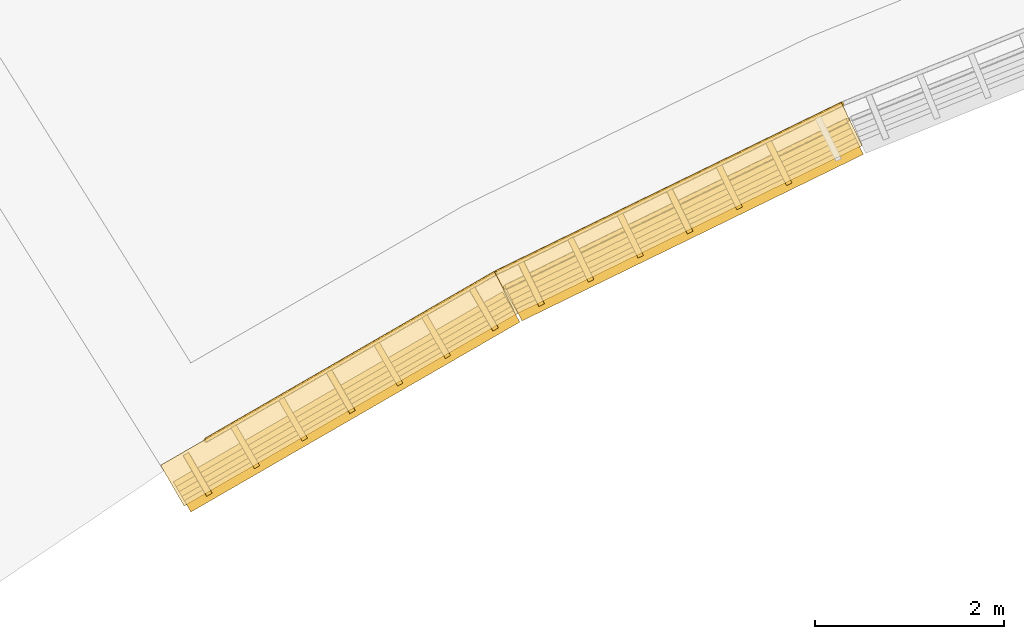
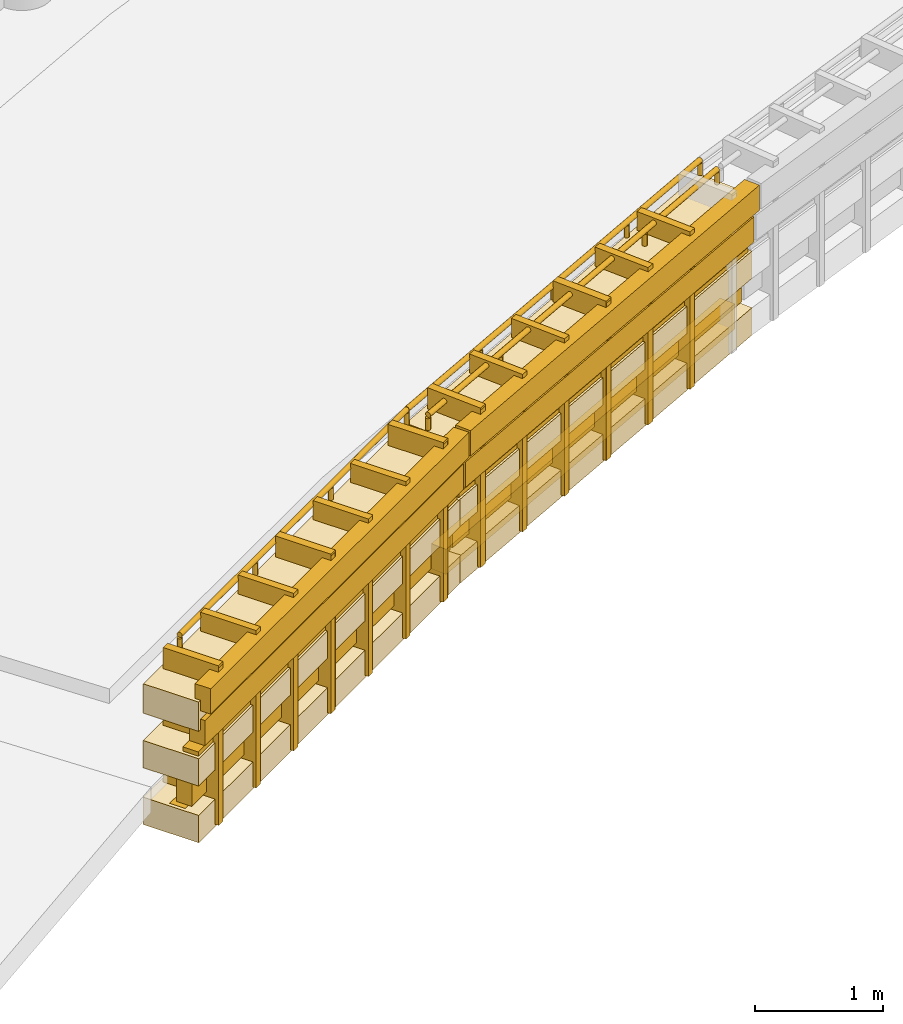
# One storey, part 65 of 74: 23 shading devices, 11 coverings, 3 railings.
"""IFC4 building model written with IfcOpenShell, lengths in metres."""

from ifc_helpers import new_model, si_unit, direction, frame, frame_2d, origin, origin_2d, place, context, subcontext, project, spatial, rectangle, circle, extrude, material, layer, layer_set, type_object, element, save


model = new_model("IFC4")

# Units and contexts
model_context = context("Model", 3, precision=1e-05, world=origin(), true_north=direction((0.0, 1.0)))
body_context = subcontext(model_context, "Body", "Model", "MODEL_VIEW")
ifc_project = project(units=[si_unit("LENGTHUNIT", "METRE"), si_unit("AREAUNIT", "SQUARE_METRE"), si_unit("VOLUMEUNIT", "CUBIC_METRE"), si_unit("PLANEANGLEUNIT", "RADIAN"), si_unit("MASSUNIT", "GRAM", prefix="KILO")], contexts=[model_context])

# Site, building, storey
site_placement = place(None, origin())
site = spatial("IfcSite", under=ifc_project, at=site_placement, CompositionType="ELEMENT")
building_placement = place(site_placement, origin())
building = spatial("IfcBuilding", under=site, at=building_placement, Name="Clarverna Civic Hall", CompositionType="ELEMENT")
storey_placement = place(building_placement, frame((0.0, 0.0, 9.60009765625)))
storey = spatial("IfcBuildingStorey", under=building, at=storey_placement, Name="L02", CompositionType="ELEMENT", Elevation=9.60009765625)

# Coverings
ifc_material_1 = material(Name="Thermally Modified Teak Wood Slat Fascia Cladding", Category="wood")
ifc_layer_1 = layer(ifc_material_1, 0.080078125)
ifc_layer_set_1 = layer_set([ifc_layer_1], Name="Thermally Modified Teak Wood Slat Fascia Cladding")
covering_type = type_object("IfcCoveringType", Name="CV-CL1", PredefinedType="CLADDING", material=ifc_layer_set_1)
for number, where, z_axis, x_axis, name in (
    (1, (128.244140625, 61.3720703125, -0.380126953125), (0.0, 0.0, 1.0), (-0.898777050134, -0.438405992378, 0.0), "CV-CL1-117"),
    (2, (128.244140625, 61.3720703125, 0.159912109375), (0.0, 0.0, 1.0), (-0.898777050134, -0.438405992378, 0.0), "CV-CL1-118"),
):
    element("IfcCovering", number, at=place(storey_placement, frame(where, z_axis=z_axis, x_axis=x_axis)), inside=storey, type_object=covering_type, Name=name, PredefinedType="CLADDING", context=body_context, shape_type="SweptSolid", body=[
        extrude(rectangle(XDim=4.09033203125, YDim=0.5, at=frame_2d((2.045166015625, 0.0))), origin(), (0.0, 0.0, 1.0), 0.260009765625),
    ])
covering_1_placement = place(storey_placement, frame((128.244140625, 61.3720703125, 0.679931640625), z_axis=(0.0, 0.0, 1.0), x_axis=(-0.898777050134, -0.438405992378, 0.0)))
element("IfcCovering", 3, at=covering_1_placement, inside=storey, type_object=covering_type, Name="CV-CL1-119", PredefinedType="CLADDING", context=body_context, shape_type="SweptSolid", body=[
    extrude(rectangle(XDim=4.09033203125, YDim=0.5, at=frame_2d((2.045166015625, 0.0))), origin(), (0.0, 0.0, 1.0), 0.280029296875),
])
covering_2_placement = place(storey_placement, frame((126.3095703125, 60.673095703125, -0.360107421875), z_axis=(0.0, 0.0, 1.0), x_axis=(0.438596834069, -0.898683936178, 0.0)))
element("IfcCovering", 4, at=covering_2_placement, inside=storey, type_object=covering_type, Name="CV-CL1-121", PredefinedType="CLADDING", context=body_context, shape_type="SweptSolid", body=[
    extrude(rectangle(XDim=0.499755859375, YDim=0.070068359375, at=frame_2d((0.25, 0.0))), origin(), (0.0, 0.0, 1.0), 1.52001953125),
])
covering_3_placement = place(storey_placement, frame((124.734130859375, 59.90478515625, -0.360107421875), z_axis=(0.0, 0.0, 1.0), x_axis=(0.438404394789, -0.898777829405, 0.0)))
element("IfcCovering", 5, at=covering_3_placement, inside=storey, type_object=covering_type, Name="CV-CL1-122", PredefinedType="CLADDING", context=body_context, shape_type="SweptSolid", body=[
    extrude(rectangle(XDim=0.5, YDim=0.070068359375, at=frame_2d((0.25, 0.0))), origin(), (0.0, 0.0, 1.0), 1.52001953125),
])
for number, where, z_axis, x_axis, name in (
    (6, (124.5791015625, 59.584716796875, -0.380126953125), (0.0, 0.0, 1.0), (-0.86606035499, -0.499939457849, 0.0), "CV-CL1-123"),
    (7, (124.5791015625, 59.584716796875, 0.159912109375), (0.0, 0.0, 1.0), (-0.86606035499, -0.499939457849, 0.0), "CV-CL1-124"),
):
    element("IfcCovering", number, at=place(storey_placement, frame(where, z_axis=z_axis, x_axis=x_axis)), inside=storey, type_object=covering_type, Name=name, PredefinedType="CLADDING", context=body_context, shape_type="SweptSolid", body=[
        extrude(rectangle(XDim=4.09033203125, YDim=0.5, at=frame_2d((2.045166015625, 0.0))), origin(), (0.0, 0.0, 1.0), 0.260009765625),
    ])
covering_4_placement = place(storey_placement, frame((124.5791015625, 59.584716796875, 0.679931640625), z_axis=(0.0, 0.0, 1.0), x_axis=(-0.86606035499, -0.499939457849, 0.0)))
element("IfcCovering", 8, at=covering_4_placement, inside=storey, type_object=covering_type, Name="CV-CL1-125", PredefinedType="CLADDING", context=body_context, shape_type="SweptSolid", body=[
    extrude(rectangle(XDim=4.09033203125, YDim=0.5, at=frame_2d((2.045166015625, 0.0))), origin(), (0.0, 0.0, 1.0), 0.280029296875),
])
covering_5_placement = place(storey_placement, frame((124.216064453125, 59.62939453125, -0.360107421875), z_axis=(0.0, 0.0, 1.0), x_axis=(0.499919672301, -0.866071776036, 0.0)))
element("IfcCovering", 9, at=covering_5_placement, inside=storey, type_object=covering_type, Name="CV-CL1-126", PredefinedType="CLADDING", context=body_context, shape_type="SweptSolid", body=[
    extrude(rectangle(XDim=0.5, YDim=0.070068359375, at=frame_2d((0.25, 0.0))), origin(), (0.0, 0.0, 1.0), 1.52001953125),
])
for number, where, z_axis, x_axis, name in (
    (10, (122.69775390625, 58.752685546875, -0.360107421875), (0.0, 0.0, 1.0), (0.500131122175, -0.865949687125, 0.0), "CV-CL1-127"),
    (11, (121.1796875, 57.876220703125, -0.360107421875), (0.0, 0.0, 1.0), (0.500131122175, -0.865949687125, 0.0), "CV-CL1-128"),
):
    element("IfcCovering", number, at=place(storey_placement, frame(where, z_axis=z_axis, x_axis=x_axis)), inside=storey, type_object=covering_type, Name=name, PredefinedType="CLADDING", context=body_context, shape_type="SweptSolid", body=[
        extrude(rectangle(XDim=0.499755859375, YDim=0.070068359375, at=frame_2d((0.25, 0.0))), origin(), (0.0, 0.0, 1.0), 1.52001953125),
    ])

# Railings
ifc_material_2 = material(Name="Anodised Bronze Architectural Balustrade")
railing_type_1 = type_object("IfcRailingType", Name="GR-01", PredefinedType="BALUSTRADE", material=ifc_material_2)
railing_1_placement = place(storey_placement, frame((124.458984375, 59.792724609375, 0.0)))
element("IfcRailing", 12, at=railing_1_placement, inside=storey, type_object=railing_type_1, Name="GR-01-015", PredefinedType="BALUSTRADE", context=body_context, shape_type="SweptSolid", body=[
    extrude(circle(Radius=0.02392578125, at=origin_2d()), frame((0.0, 0.0, 1.09619140625), z_axis=(-0.866011053975, -0.500024853776, 0.0), x_axis=(0.500024853776, -0.866011053975, 0.0)), (0.0, 0.0, 1.0), 3.540771484375),
    extrude(circle(Radius=0.011962890625, at=origin_2d()), frame((0.0, 0.0, 0.39208984375), z_axis=(-0.866011053975, -0.500024853776, 0.0), x_axis=(0.500024853776, -0.866011053975, 0.0)), (0.0, 0.0, 1.0), 3.540771484375),
    extrude(circle(Radius=0.011962890625, at=origin_2d()), frame((0.0, 0.0, 0.76171875), z_axis=(-0.866011053975, -0.500024853776, 0.0), x_axis=(0.500024853776, -0.866011053975, 0.0)), (0.0, 0.0, 1.0), 3.540771484375),
    extrude(circle(Radius=0.02099609375, at=origin_2d()), origin(), (0.0, 0.0, 1.0), 1.072021484375),
    extrude(circle(Radius=0.02099609375, at=origin_2d()), frame((-1.022216796875, -0.590087890625, 0.0)), (0.0, 0.0, 1.0), 1.072021484375),
    extrude(circle(Radius=0.02099609375, at=origin_2d()), frame((-2.044189453125, -1.180419921875, 0.0)), (0.0, 0.0, 1.0), 1.072021484375),
    extrude(circle(Radius=0.02099609375, at=origin_2d()), frame((-3.06640625, -1.7705078125, 0.0)), (0.0, 0.0, 1.0), 1.072021484375),
])
railing_2_placement = place(storey_placement, frame((128.138916015625, 61.587646484375, 0.0)))
element("IfcRailing", 13, at=railing_2_placement, inside=storey, type_object=railing_type_1, Name="GR-01-021", PredefinedType="BALUSTRADE", context=body_context, shape_type="SweptSolid", body=[
    extrude(circle(Radius=0.02392578125, at=origin_2d()), frame((0.0, 0.0, 1.09619140625), z_axis=(-0.898800568146, -0.438357774769, 0.0), x_axis=(0.438357774769, -0.898800568146, 0.0)), (0.0, 0.0, 1.0), 4.090087890625),
    extrude(circle(Radius=0.011962890625, at=origin_2d()), frame((0.0, 0.0, 0.39208984375), z_axis=(-0.898800568146, -0.438357774769, 0.0), x_axis=(0.438357774769, -0.898800568146, 0.0)), (0.0, 0.0, 1.0), 4.090087890625),
    extrude(circle(Radius=0.011962890625, at=origin_2d()), frame((0.0, 0.0, 0.76171875), z_axis=(-0.898800568146, -0.438357774769, 0.0), x_axis=(0.438357774769, -0.898800568146, 0.0)), (0.0, 0.0, 1.0), 4.090087890625),
    extrude(circle(Radius=0.02099609375, at=origin_2d()), origin(), (0.0, 0.0, 1.0), 1.072021484375),
    extrude(circle(Radius=0.02099609375, at=origin_2d()), frame((-0.9189453125, -0.4482421875, 0.0)), (0.0, 0.0, 1.0), 1.072021484375),
    extrude(circle(Radius=0.02099609375, at=origin_2d()), frame((-1.838134765625, -0.896484375, 0.0)), (0.0, 0.0, 1.0), 1.072021484375),
    extrude(circle(Radius=0.02099609375, at=origin_2d()), frame((-2.75732421875, -1.3447265625, 0.0)), (0.0, 0.0, 1.0), 1.072021484375),
    extrude(circle(Radius=0.02099609375, at=origin_2d()), frame((-3.67626953125, -1.79296875, 0.0)), (0.0, 0.0, 1.0), 1.072021484375),
])
ifc_material_3 = material(Name="Thermally Modified Teak Wood Slat Fascia Rail", Category="wood")
railing_type_2 = type_object("IfcRailingType", Name="GR-03", PredefinedType="BALUSTRADE", material=ifc_material_3)
railing_3_placement = place(storey_placement, frame((128.19091796875, 61.412841796875, 0.0)))
element("IfcRailing", 14, at=railing_3_placement, inside=storey, type_object=railing_type_2, Name="GR-03-010", PredefinedType="BALUSTRADE", context=body_context, shape_type="SweptSolid", body=[
    extrude(circle(Radius=0.02392578125, at=origin_2d()), frame((0.0, 0.0, 1.09619140625), z_axis=(-0.898781835637, -0.438396181472, 0.0), x_axis=(0.438396181472, -0.898781835637, 0.0)), (0.0, 0.0, 1.0), 4.0302734375),
    extrude(circle(Radius=0.011962890625, at=origin_2d()), frame((0.0, 0.0, 0.39208984375), z_axis=(-0.898781835637, -0.438396181472, 0.0), x_axis=(0.438396181472, -0.898781835637, 0.0)), (0.0, 0.0, 1.0), 4.0302734375),
    extrude(circle(Radius=0.011962890625, at=origin_2d()), frame((0.0, 0.0, 0.76171875), z_axis=(-0.898781835637, -0.438396181472, 0.0), x_axis=(0.438396181472, -0.898781835637, 0.0)), (0.0, 0.0, 1.0), 4.0302734375),
    extrude(circle(Radius=0.02099609375, at=origin_2d()), origin(), (0.0, 0.0, 1.0), 1.072021484375),
    extrude(circle(Radius=0.02099609375, at=origin_2d()), frame((-0.905517578125, -0.441650390625, 0.0)), (0.0, 0.0, 1.0), 1.072021484375),
    extrude(circle(Radius=0.02099609375, at=origin_2d()), frame((-1.81103515625, -0.88330078125, 0.0)), (0.0, 0.0, 1.0), 1.072021484375),
    extrude(circle(Radius=0.02099609375, at=origin_2d()), frame((-2.716796875, -1.3251953125, 0.0)), (0.0, 0.0, 1.0), 1.072021484375),
    extrude(circle(Radius=0.02099609375, at=origin_2d()), frame((-3.622314453125, -1.766845703125, 0.0)), (0.0, 0.0, 1.0), 1.072021484375),
])

# Shading devices
ifc_material_4 = material(Name="Thermally Modified Teak Wood Slats", Category="wood")
ifc_layer_2 = layer(ifc_material_4, 0.06494140625)
ifc_layer_set_2 = layer_set([ifc_layer_2], Name="Thermally Modified Teak Wood Slats")
shading_device_type = type_object("IfcShadingDeviceType", Name="SD-WD1", PredefinedType="JALOUSIE", material=ifc_layer_set_2)
for number, where, z_axis, x_axis, name in (
    (15, (128.234619140625, 61.322998046875, -0.360107421875), (0.0, 0.0, 1.0), (-0.898781835637, -0.438396181472, 0.0), "SD-WD1-115"),
    (16, (128.260986328125, 61.26904296875, -0.080078125), (0.0, 0.0, 1.0), (-0.898781835637, -0.438396181472, 0.0), "SD-WD1-116"),
    (17, (128.287353515625, 61.215087890625, 0.219970703125), (0.0, 0.0, 1.0), (-0.898781835637, -0.438396181472, 0.0), "SD-WD1-117"),
    (18, (128.313720703125, 61.1611328125, 0.539794921875), (0.0, 0.0, 1.0), (-0.898781835637, -0.438396181472, 0.0), "SD-WD1-118"),
    (19, (128.33544921875, 61.1162109375, 0.85986328125), (0.0, 0.0, 1.0), (-0.898781835637, -0.438396181472, 0.0), "SD-WD1-119"),
):
    element("IfcShadingDevice", number, at=place(storey_placement, frame(where, z_axis=z_axis, x_axis=x_axis)), inside=storey, type_object=shading_device_type, Name=name, PredefinedType="JALOUSIE", context=body_context, shape_type="SweptSolid", body=[
        extrude(rectangle(XDim=4.0302734375, YDim=0.139892578125, at=frame_2d((2.01513671875, 0.0))), origin(), (0.0, 0.0, 1.0), 0.239990234375),
    ])
for number, where, z_axis, x_axis, name in (
    (20, (127.35986328125, 61.185546875, -0.360107421875), (0.0, 0.0, 1.0), (0.438404394789, -0.898777829405, 0.0), "SD-WD1-121"),
    (21, (126.834716796875, 60.929443359375, -0.360107421875), (0.0, 0.0, 1.0), (0.438404394789, -0.898777829405, 0.0), "SD-WD1-122"),
):
    element("IfcShadingDevice", number, at=place(storey_placement, frame(where, z_axis=z_axis, x_axis=x_axis)), inside=storey, type_object=shading_device_type, Name=name, PredefinedType="JALOUSIE", context=body_context, shape_type="SweptSolid", body=[
        extrude(rectangle(XDim=0.5, YDim=0.06494140625, at=frame_2d((0.25, 0.0))), origin(), (0.0, 0.0, 1.0), 1.5),
    ])
shading_device_1_placement = place(storey_placement, frame((126.3095703125, 60.673095703125, -0.360107421875), z_axis=(0.0, 0.0, 1.0), x_axis=(0.438596834069, -0.898683936178, 0.0)))
element("IfcShadingDevice", 22, at=shading_device_1_placement, inside=storey, type_object=shading_device_type, Name="SD-WD1-123", PredefinedType="JALOUSIE", context=body_context, shape_type="SweptSolid", body=[
    extrude(rectangle(XDim=0.499755859375, YDim=0.06494140625, at=frame_2d((0.25, 0.0))), origin(), (0.0, 0.0, 1.0), 1.5),
])
for number, where, z_axis, x_axis, name in (
    (23, (125.784423828125, 60.4169921875, -0.360107421875), (0.0, 0.0, 1.0), (0.438404394789, -0.898777829405, 0.0), "SD-WD1-124"),
    (24, (125.25927734375, 60.160888671875, -0.360107421875), (0.0, 0.0, 1.0), (0.438404394789, -0.898777829405, 0.0), "SD-WD1-125"),
    (25, (124.734130859375, 59.90478515625, -0.360107421875), (0.0, 0.0, 1.0), (0.438404394789, -0.898777829405, 0.0), "SD-WD1-126"),
):
    element("IfcShadingDevice", number, at=place(storey_placement, frame(where, z_axis=z_axis, x_axis=x_axis)), inside=storey, type_object=shading_device_type, Name=name, PredefinedType="JALOUSIE", context=body_context, shape_type="SweptSolid", body=[
        extrude(rectangle(XDim=0.5, YDim=0.06494140625, at=frame_2d((0.25, 0.0))), origin(), (0.0, 0.0, 1.0), 1.5),
    ])
for number, where, z_axis, x_axis, name in (
    (26, (124.572998046875, 59.53515625, -0.360107421875), (0.0, 0.0, 1.0), (-0.866020143075, -0.500009111705, 0.0), "SD-WD1-127"),
    (27, (124.60302734375, 59.483154296875, -0.080078125), (0.0, 0.0, 1.0), (-0.866020143075, -0.500009111705, 0.0), "SD-WD1-128"),
):
    element("IfcShadingDevice", number, at=place(storey_placement, frame(where, z_axis=z_axis, x_axis=x_axis)), inside=storey, type_object=shading_device_type, Name=name, PredefinedType="JALOUSIE", context=body_context, shape_type="SweptSolid", body=[
        extrude(rectangle(XDim=4.0302734375, YDim=0.139892578125, at=frame_2d((2.01513671875, 0.0))), origin(), (0.0, 0.0, 1.0), 0.239990234375),
    ])
for number, where, z_axis, x_axis, name in (
    (28, (124.633056640625, 59.431396484375, 0.219970703125), (0.0, 0.0, 1.0), (-0.866035286884, -0.499982881579, 0.0), "SD-WD1-129"),
    (29, (124.6630859375, 59.37939453125, 0.539794921875), (0.0, 0.0, 1.0), (-0.866035286884, -0.499982881579, 0.0), "SD-WD1-130"),
):
    element("IfcShadingDevice", number, at=place(storey_placement, frame(where, z_axis=z_axis, x_axis=x_axis)), inside=storey, type_object=shading_device_type, Name=name, PredefinedType="JALOUSIE", context=body_context, shape_type="SweptSolid", body=[
        extrude(rectangle(XDim=4.030517578125, YDim=0.139892578125, at=frame_2d((2.01513671875, 0.0))), origin(), (0.0, 0.0, 1.0), 0.239990234375),
    ])
shading_device_2_placement = place(storey_placement, frame((124.68798828125, 59.3359375, 0.85986328125), z_axis=(0.0, 0.0, 1.0), x_axis=(-0.866020143075, -0.500009111705, 0.0)))
element("IfcShadingDevice", 30, at=shading_device_2_placement, inside=storey, type_object=shading_device_type, Name="SD-WD1-131", PredefinedType="JALOUSIE", context=body_context, shape_type="SweptSolid", body=[
    extrude(rectangle(XDim=4.0302734375, YDim=0.139892578125, at=frame_2d((2.01513671875, 0.0))), origin(), (0.0, 0.0, 1.0), 0.239990234375),
])
for number, where, z_axis, x_axis, name in (
    (31, (124.216064453125, 59.62939453125, -0.360107421875), (0.0, 0.0, 1.0), (0.499919672301, -0.866071776036, 0.0), "SD-WD1-132"),
    (32, (123.7099609375, 59.337158203125, -0.360107421875), (0.0, 0.0, 1.0), (0.499919672301, -0.866071776036, 0.0), "SD-WD1-133"),
    (33, (123.203857421875, 59.044921875, -0.360107421875), (0.0, 0.0, 1.0), (0.499919672301, -0.866071776036, 0.0), "SD-WD1-134"),
):
    element("IfcShadingDevice", number, at=place(storey_placement, frame(where, z_axis=z_axis, x_axis=x_axis)), inside=storey, type_object=shading_device_type, Name=name, PredefinedType="JALOUSIE", context=body_context, shape_type="SweptSolid", body=[
        extrude(rectangle(XDim=0.5, YDim=0.06494140625, at=frame_2d((0.25, 0.0))), origin(), (0.0, 0.0, 1.0), 1.5),
    ])
shading_device_3_placement = place(storey_placement, frame((122.69775390625, 58.752685546875, -0.360107421875), z_axis=(0.0, 0.0, 1.0), x_axis=(0.500131122175, -0.865949687125, 0.0)))
element("IfcShadingDevice", 34, at=shading_device_3_placement, inside=storey, type_object=shading_device_type, Name="SD-WD1-135", PredefinedType="JALOUSIE", context=body_context, shape_type="SweptSolid", body=[
    extrude(rectangle(XDim=0.499755859375, YDim=0.06494140625, at=frame_2d((0.25, 0.0))), origin(), (0.0, 0.0, 1.0), 1.5),
])
shading_device_4_placement = place(storey_placement, frame((122.19189453125, 58.460693359375, -0.360107421875), z_axis=(0.0, 0.0, 1.0), x_axis=(0.499919672301, -0.866071776036, 0.0)))
element("IfcShadingDevice", 35, at=shading_device_4_placement, inside=storey, type_object=shading_device_type, Name="SD-WD1-136", PredefinedType="JALOUSIE", context=body_context, shape_type="SweptSolid", body=[
    extrude(rectangle(XDim=0.5, YDim=0.06494140625, at=frame_2d((0.25, 0.0))), origin(), (0.0, 0.0, 1.0), 1.5),
])
for number, where, z_axis, x_axis, name in (
    (36, (121.685791015625, 58.16845703125, -0.360107421875), (0.0, 0.0, 1.0), (0.500131122175, -0.865949687125, 0.0), "SD-WD1-137"),
    (37, (121.1796875, 57.876220703125, -0.360107421875), (0.0, 0.0, 1.0), (0.500131122175, -0.865949687125, 0.0), "SD-WD1-138"),
):
    element("IfcShadingDevice", number, at=place(storey_placement, frame(where, z_axis=z_axis, x_axis=x_axis)), inside=storey, type_object=shading_device_type, Name=name, PredefinedType="JALOUSIE", context=body_context, shape_type="SweptSolid", body=[
        extrude(rectangle(XDim=0.499755859375, YDim=0.06494140625, at=frame_2d((0.25, 0.0))), origin(), (0.0, 0.0, 1.0), 1.5),
    ])

save(model, "model.ifc")
